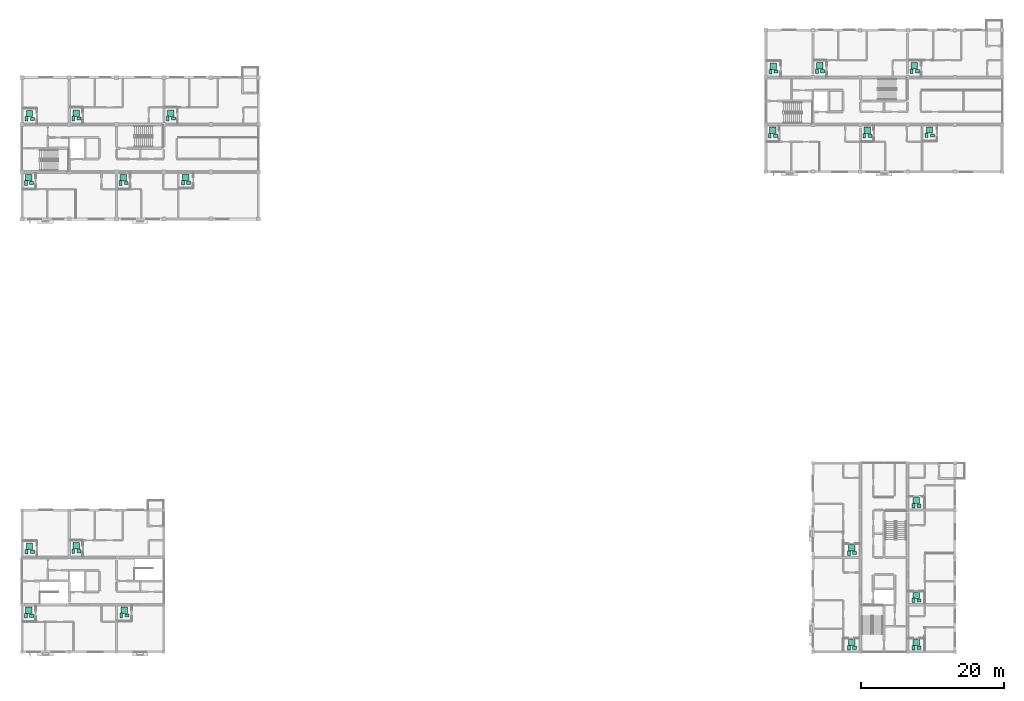
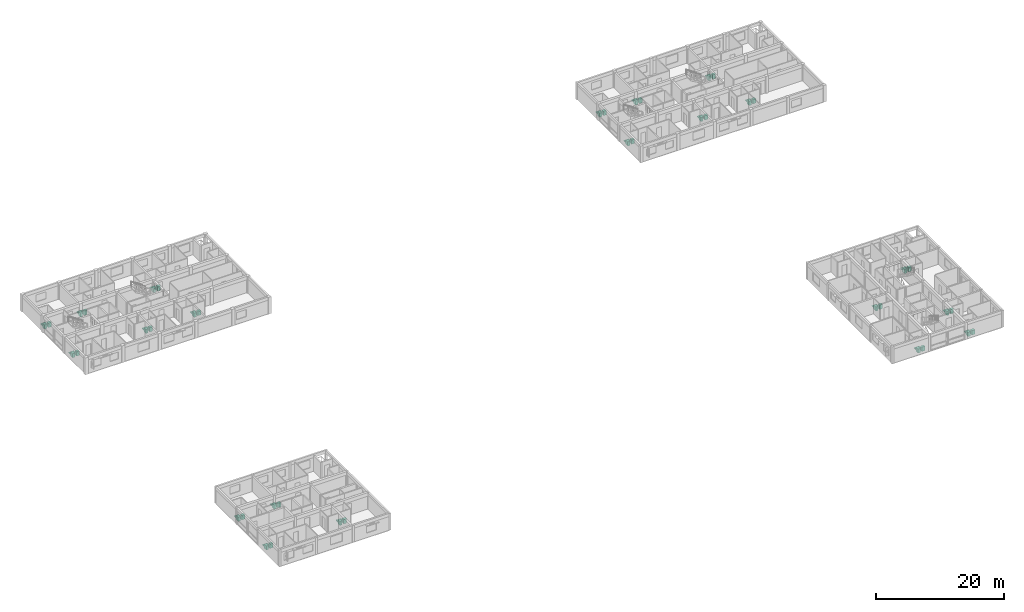
# One storey, part 49 of 49: 63 sanitary terminals.
"""IFC4 building model written with IfcOpenShell, lengths in metres."""

from ifc_helpers import new_model, si_unit, direction, frame, origin, origin_2d, place, context, subcontext, project, spatial, rectangle, extrude, material, type_object, element, save


model = new_model("IFC4")

# Units and contexts
model_context = context("Model", 3, precision=1e-05, world=origin(), true_north=direction((0.0, 1.0)))
body_context = subcontext(model_context, "Body", "Model", "MODEL_VIEW")
ifc_project = project(units=[si_unit("LENGTHUNIT", "METRE"), si_unit("AREAUNIT", "SQUARE_METRE"), si_unit("VOLUMEUNIT", "CUBIC_METRE"), si_unit("PLANEANGLEUNIT", "RADIAN"), si_unit("MASSUNIT", "GRAM", prefix="KILO")], contexts=[model_context])

# Site, building, storey
site_placement = place(None, origin())
site = spatial("IfcSite", under=ifc_project, at=site_placement, CompositionType="ELEMENT")
building_placement = place(site_placement, origin())
building = spatial("IfcBuilding", under=site, at=building_placement, Name="Kernevlak Ridge Housing Community", CompositionType="ELEMENT")
storey_placement = place(building_placement, frame((0.0, 0.0, 30.800048828125)))
storey = spatial("IfcBuildingStorey", under=building, at=storey_placement, Name="L09", CompositionType="ELEMENT", Elevation=30.800048828125)

# Sanitary terminals
ifc_material_1 = material(Name="Vitreous china ceramic")
sanitary_terminal_type_1 = type_object("IfcSanitaryTerminalType", Name="SN-BS", PredefinedType="WASHHANDBASIN", material=ifc_material_1)
for number, where, z_axis, x_axis, name in (
    (1, (16.949951171875, 81.050048828125, 0.0), (0.0, 0.0, 1.0), (1.0, 0.0, 0.0), "Washhand basin 49"),
    (2, (30.14990234375, 81.050048828125, 0.0), (0.0, 0.0, 1.0), (1.0, 0.0, 0.0), "Washhand basin 50"),
    (3, (38.85009765625, 81.10009765625, 0.0), (0.0, 0.0, 1.0), (1.0, 0.0, 0.0), "Washhand basin 51"),
    (4, (17.050048828125, 90.0, 0.0), (0.0, 0.0, 1.0), (1.0, 0.0, 0.0), "Washhand basin 52"),
    (5, (23.550048828125, 90.050048828125, 0.0), (0.0, 0.0, 1.0), (1.0, 0.0, 0.0), "Washhand basin 53"),
    (6, (36.75, 90.050048828125, 0.0), (0.0, 0.0, 1.0), (1.0, 0.0, 0.0), "Washhand basin 54"),
    (7, (120.75, 87.64990234375, 0.0), (0.0, 0.0, 1.0), (1.0, 0.0, 0.0), "Washhand basin 146"),
    (8, (133.949951171875, 87.64990234375, 0.0), (0.0, 0.0, 1.0), (1.0, 0.0, 0.0), "Washhand basin 147"),
    (9, (142.64990234375, 87.699951171875, 0.0), (0.0, 0.0, 1.0), (1.0, 0.0, 0.0), "Washhand basin 148"),
    (10, (120.85009765625, 96.60009765625, 0.0), (0.0, 0.0, 1.0), (1.0, 0.0, 0.0), "Washhand basin 149"),
    (11, (127.35009765625, 96.64990234375, 0.0), (0.0, 0.0, 1.0), (1.0, 0.0, 0.0), "Washhand basin 150"),
    (12, (140.550048828125, 96.64990234375, 0.0), (0.0, 0.0, 1.0), (1.0, 0.0, 0.0), "Washhand basin 151"),
    (13, (131.800048828125, 16.199951171875, 0.0), (0.0, 0.0, 1.0), (1.0, 0.0, 0.0), "Washhand basin 227"),
    (14, (131.800048828125, 29.39990234375, 0.0), (0.0, 0.0, 1.0), (1.0, 0.0, 0.0), "Washhand basin 228"),
    (15, (140.800048828125, 16.199951171875, 0.0), (0.0, 0.0, 1.0), (1.0, 0.0, 0.0), "Washhand basin 229"),
    (16, (140.800048828125, 22.800048828125, 0.0), (0.0, 0.0, 1.0), (1.0, 0.0, 0.0), "Washhand basin 230"),
    (17, (140.800048828125, 36.0, 0.0), (0.0, 0.0, 1.0), (1.0, 0.0, 0.0), "Washhand basin 231"),
    (18, (16.949951171875, 20.64990234375, 0.0), (0.0, 0.0, 1.0), (1.0, 0.0, 0.0), "Washhand basin 291"),
    (19, (30.25, 20.699951171875, 0.0), (0.0, 0.0, 1.0), (1.0, 0.0, 0.0), "Washhand basin 292"),
    (20, (17.050048828125, 29.60009765625, 0.0), (0.0, 0.0, 1.0), (1.0, 0.0, 0.0), "Washhand basin 293"),
    (21, (23.550048828125, 29.64990234375, 0.0), (0.0, 0.0, 1.0), (1.0, 0.0, 0.0), "Washhand basin 294"),
):
    element("IfcSanitaryTerminal", number, at=place(storey_placement, frame(where, z_axis=z_axis, x_axis=x_axis)), inside=storey, type_object=sanitary_terminal_type_1, Name=name, PredefinedType="WASHHANDBASIN", context=body_context, shape_type="SweptSolid", body=[
        extrude(rectangle(XDim=0.550048828125, YDim=0.449951171875, at=origin_2d()), origin(), (0.0, 0.0, 1.0), 0.820068359375),
    ])
ifc_material_2 = material(Name="Glazed porcelain ceramic")
sanitary_terminal_type_2 = type_object("IfcSanitaryTerminalType", Name="SN-SH", PredefinedType="SHOWER", material=ifc_material_2)
for number, where, z_axis, x_axis, name in (
    (22, (16.550048828125, 81.800048828125, 0.0), (0.0, 0.0, 1.0), (1.0, 0.0, 0.0), "Shower tray 49"),
    (23, (29.75, 81.800048828125, 0.0), (0.0, 0.0, 1.0), (1.0, 0.0, 0.0), "Shower tray 50"),
    (24, (38.449951171875, 81.85009765625, 0.0), (0.0, 0.0, 1.0), (1.0, 0.0, 0.0), "Shower tray 51"),
    (25, (16.64990234375, 90.75, 0.0), (0.0, 0.0, 1.0), (1.0, 0.0, 0.0), "Shower tray 52"),
    (26, (23.14990234375, 90.800048828125, 0.0), (0.0, 0.0, 1.0), (1.0, 0.0, 0.0), "Shower tray 53"),
    (27, (36.35009765625, 90.800048828125, 0.0), (0.0, 0.0, 1.0), (1.0, 0.0, 0.0), "Shower tray 54"),
    (28, (120.35009765625, 88.39990234375, 0.0), (0.0, 0.0, 1.0), (1.0, 0.0, 0.0), "Shower tray 146"),
    (29, (133.550048828125, 88.39990234375, 0.0), (0.0, 0.0, 1.0), (1.0, 0.0, 0.0), "Shower tray 147"),
    (30, (142.25, 88.449951171875, 0.0), (0.0, 0.0, 1.0), (1.0, 0.0, 0.0), "Shower tray 148"),
    (31, (120.449951171875, 97.35009765625, 0.0), (0.0, 0.0, 1.0), (1.0, 0.0, 0.0), "Shower tray 149"),
    (32, (126.949951171875, 97.39990234375, 0.0), (0.0, 0.0, 1.0), (1.0, 0.0, 0.0), "Shower tray 150"),
    (33, (140.14990234375, 97.39990234375, 0.0), (0.0, 0.0, 1.0), (1.0, 0.0, 0.0), "Shower tray 151"),
    (34, (131.39990234375, 16.949951171875, 0.0), (0.0, 0.0, 1.0), (1.0, 0.0, 0.0), "Shower tray 227"),
    (35, (131.39990234375, 30.14990234375, 0.0), (0.0, 0.0, 1.0), (1.0, 0.0, 0.0), "Shower tray 228"),
    (36, (140.39990234375, 16.949951171875, 0.0), (0.0, 0.0, 1.0), (1.0, 0.0, 0.0), "Shower tray 229"),
    (37, (140.39990234375, 23.550048828125, 0.0), (0.0, 0.0, 1.0), (1.0, 0.0, 0.0), "Shower tray 230"),
    (38, (140.39990234375, 36.75, 0.0), (0.0, 0.0, 1.0), (1.0, 0.0, 0.0), "Shower tray 231"),
    (39, (16.550048828125, 21.39990234375, 0.0), (0.0, 0.0, 1.0), (1.0, 0.0, 0.0), "Shower tray 291"),
    (40, (29.85009765625, 21.449951171875, 0.0), (0.0, 0.0, 1.0), (1.0, 0.0, 0.0), "Shower tray 292"),
    (41, (16.64990234375, 30.35009765625, 0.0), (0.0, 0.0, 1.0), (1.0, 0.0, 0.0), "Shower tray 293"),
    (42, (23.14990234375, 30.39990234375, 0.0), (0.0, 0.0, 1.0), (1.0, 0.0, 0.0), "Shower tray 294"),
):
    element("IfcSanitaryTerminal", number, at=place(storey_placement, frame(where, z_axis=z_axis, x_axis=x_axis)), inside=storey, type_object=sanitary_terminal_type_2, Name=name, PredefinedType="SHOWER", context=body_context, shape_type="SweptSolid", body=[
        extrude(rectangle(XDim=0.89990234375, YDim=0.89990234375, at=origin_2d()), origin(), (0.0, 0.0, 1.0), 0.1201171875),
    ])
sanitary_terminal_type_3 = type_object("IfcSanitaryTerminalType", Name="SN-WC", PredefinedType="TOILETPAN", material=ifc_material_1)
for number, where, z_axis, x_axis, name in (
    (43, (16.14990234375, 81.050048828125, 0.0), (0.0, 0.0, 1.0), (1.0, 0.0, 0.0), "WC pan 49"),
    (44, (29.35009765625, 81.050048828125, 0.0), (0.0, 0.0, 1.0), (1.0, 0.0, 0.0), "WC pan 50"),
    (45, (38.050048828125, 81.10009765625, 0.0), (0.0, 0.0, 1.0), (1.0, 0.0, 0.0), "WC pan 51"),
    (46, (16.25, 90.0, 0.0), (0.0, 0.0, 1.0), (1.0, 0.0, 0.0), "WC pan 52"),
    (47, (22.75, 90.050048828125, 0.0), (0.0, 0.0, 1.0), (1.0, 0.0, 0.0), "WC pan 53"),
    (48, (35.949951171875, 90.050048828125, 0.0), (0.0, 0.0, 1.0), (1.0, 0.0, 0.0), "WC pan 54"),
    (49, (119.949951171875, 87.64990234375, 0.0), (0.0, 0.0, 1.0), (1.0, 0.0, 0.0), "WC pan 146"),
    (50, (133.14990234375, 87.64990234375, 0.0), (0.0, 0.0, 1.0), (1.0, 0.0, 0.0), "WC pan 147"),
    (51, (141.85009765625, 87.699951171875, 0.0), (0.0, 0.0, 1.0), (1.0, 0.0, 0.0), "WC pan 148"),
    (52, (120.050048828125, 96.60009765625, 0.0), (0.0, 0.0, 1.0), (1.0, 0.0, 0.0), "WC pan 149"),
    (53, (126.550048828125, 96.64990234375, 0.0), (0.0, 0.0, 1.0), (1.0, 0.0, 0.0), "WC pan 150"),
    (54, (139.75, 96.64990234375, 0.0), (0.0, 0.0, 1.0), (1.0, 0.0, 0.0), "WC pan 151"),
    (55, (131.0, 16.199951171875, 0.0), (0.0, 0.0, 1.0), (1.0, 0.0, 0.0), "WC pan 227"),
    (56, (131.0, 29.39990234375, 0.0), (0.0, 0.0, 1.0), (1.0, 0.0, 0.0), "WC pan 228"),
    (57, (140.0, 16.199951171875, 0.0), (0.0, 0.0, 1.0), (1.0, 0.0, 0.0), "WC pan 229"),
    (58, (140.0, 22.800048828125, 0.0), (0.0, 0.0, 1.0), (1.0, 0.0, 0.0), "WC pan 230"),
    (59, (140.0, 36.0, 0.0), (0.0, 0.0, 1.0), (1.0, 0.0, 0.0), "WC pan 231"),
    (60, (16.14990234375, 20.64990234375, 0.0), (0.0, 0.0, 1.0), (1.0, 0.0, 0.0), "WC pan 291"),
    (61, (29.449951171875, 20.699951171875, 0.0), (0.0, 0.0, 1.0), (1.0, 0.0, 0.0), "WC pan 292"),
    (62, (16.25, 29.60009765625, 0.0), (0.0, 0.0, 1.0), (1.0, 0.0, 0.0), "WC pan 293"),
    (63, (22.75, 29.64990234375, 0.0), (0.0, 0.0, 1.0), (1.0, 0.0, 0.0), "WC pan 294"),
):
    element("IfcSanitaryTerminal", number, at=place(storey_placement, frame(where, z_axis=z_axis, x_axis=x_axis)), inside=storey, type_object=sanitary_terminal_type_3, Name=name, PredefinedType="TOILETPAN", context=body_context, shape_type="SweptSolid", body=[
        extrude(rectangle(XDim=0.39990234375, YDim=0.64990234375, at=origin_2d()), origin(), (0.0, 0.0, 1.0), 0.780029296875),
    ])

save(model, "model.ifc")
